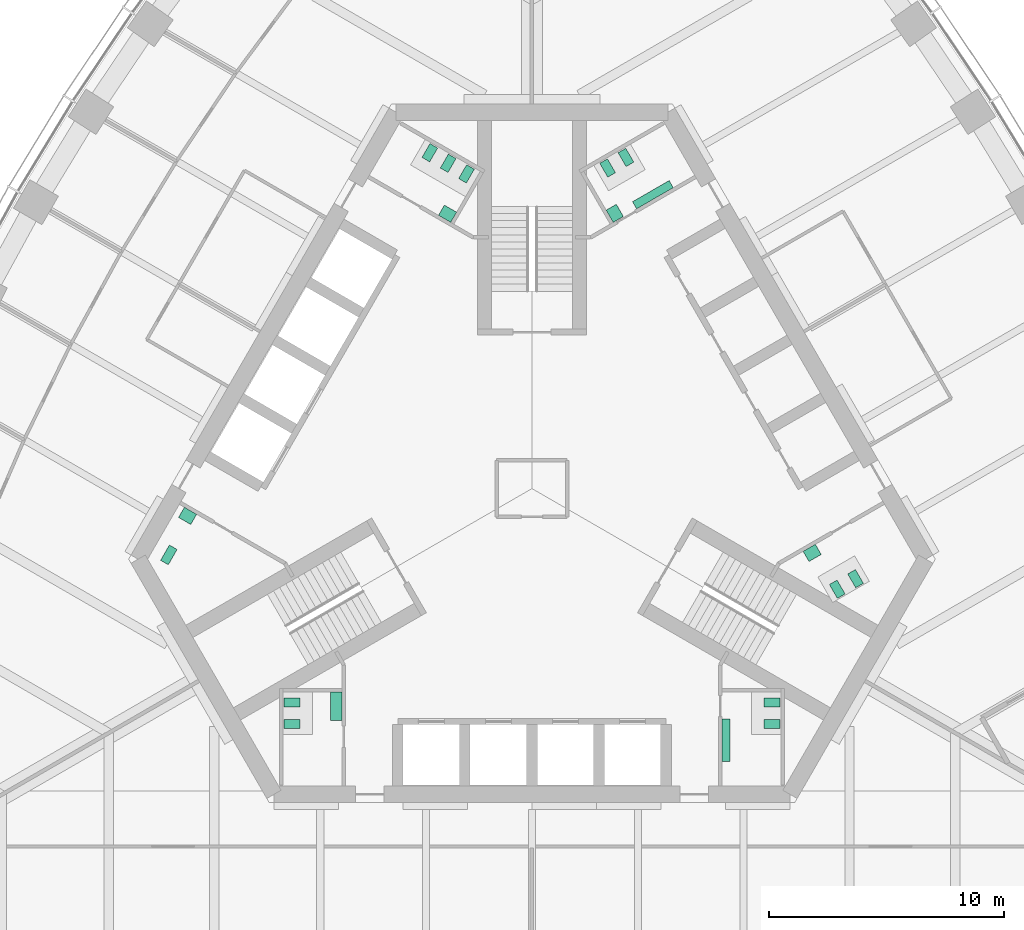
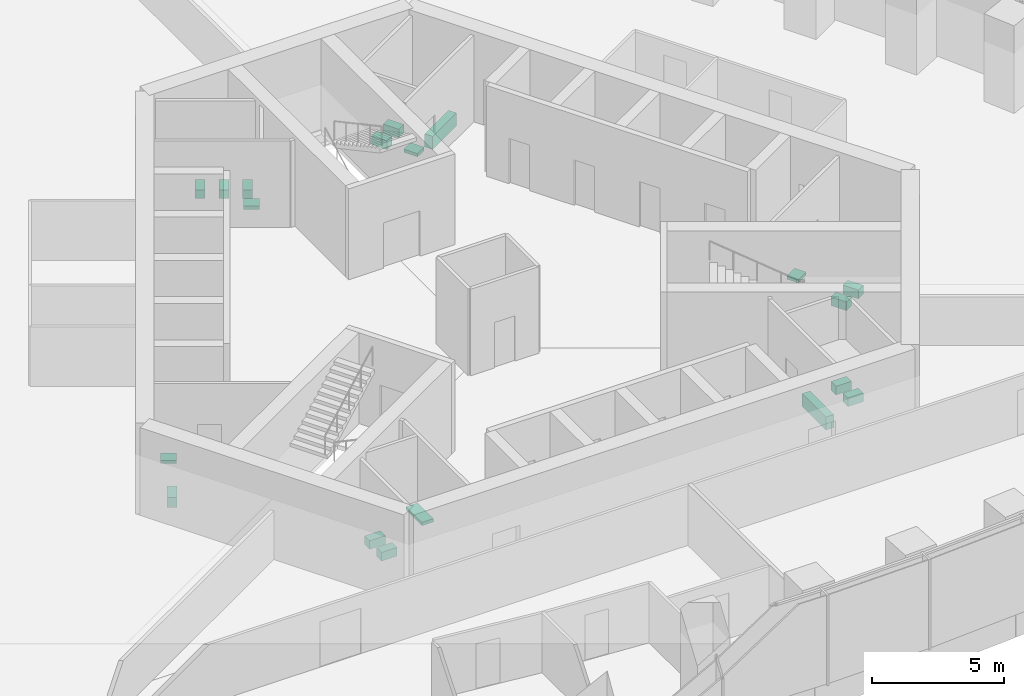
# One storey, part 18 of 19: 19 sanitary terminals.
"""IFC4 building model written with IfcOpenShell, lengths in metres."""

from ifc_helpers import new_model, si_unit, direction, frame, origin, place, context, subcontext, project, spatial, polyline, outline, extrude, material, type_object, element, save


model = new_model("IFC4")

# Units and contexts
model_context = context("Model", 3, precision=1e-05, world=origin(), true_north=direction((0.0, 1.0)))
body_context = subcontext(model_context, "Body", "Model", "MODEL_VIEW")
ifc_project = project(units=[si_unit("LENGTHUNIT", "METRE"), si_unit("AREAUNIT", "SQUARE_METRE"), si_unit("VOLUMEUNIT", "CUBIC_METRE"), si_unit("PLANEANGLEUNIT", "RADIAN"), si_unit("MASSUNIT", "GRAM", prefix="KILO")], contexts=[model_context])

# Site, building, storey
site_placement = place(None, origin())
site = spatial("IfcSite", under=ifc_project, at=site_placement, CompositionType="ELEMENT")
building_placement = place(site_placement, origin())
building = spatial("IfcBuilding", under=site, at=building_placement, Name="Trefoil Bronze Tower", CompositionType="ELEMENT")
storey_placement = place(building_placement, frame((0.0, 0.0, 244.300048828125)))
storey = spatial("IfcBuildingStorey", under=building, at=storey_placement, Name="L56", CompositionType="ELEMENT", Elevation=244.300048828125)

# Sanitary terminals
ifc_material_1 = material(Name="Vitreous china", Category="ceramic")
sanitary_terminal_type_1 = type_object("IfcSanitaryTerminalType", Name="Accessible WC pan", PredefinedType="TOILETPAN", material=ifc_material_1)
sanitary_terminal_1_placement = place(storey_placement, origin())
element("IfcSanitaryTerminal", 1, at=sanitary_terminal_1_placement, inside=storey, type_object=sanitary_terminal_type_1, Name="WC pan 1 Accessible WC L56", PredefinedType="TOILETPAN", context=body_context, shape_type="SweptSolid", body=[
    extrude(outline(polyline([(-15.085693359375, -2.589111328125), (-15.460693359375, -3.238525390625), (-15.789794921875, -3.048583984375), (-15.414794921875, -2.399169921875), (-15.085693359375, -2.589111328125)])), origin(), (0.0, 0.0, 1.0), 0.449951171875),
])
ifc_material_2 = material(Name="Vitreous china", Category="ceramic")
sanitary_terminal_type_2 = type_object("IfcSanitaryTerminalType", Name="Accessible basin", PredefinedType="WASHHANDBASIN", material=ifc_material_2)
sanitary_terminal_2_placement = place(storey_placement, frame((0.0, 0.0, 0.64990234375)))
element("IfcSanitaryTerminal", 2, at=sanitary_terminal_2_placement, inside=storey, type_object=sanitary_terminal_type_2, Name="Wash basin Accessible WC L56", PredefinedType="WASHHANDBASIN", context=body_context, shape_type="SweptSolid", body=[
    extrude(outline(polyline([(-14.256591796875, -1.09326171875), (-14.506591796875, -1.526123046875), (-15.026123046875, -1.22607421875), (-14.776123046875, -0.793212890625), (-14.256591796875, -1.09326171875)])), origin(), (0.0, 0.0, 1.0), 0.150146484375),
])
ifc_material_3 = material(Name="Vitreous china", Category="ceramic")
sanitary_terminal_type_3 = type_object("IfcSanitaryTerminalType", Name="Urinal range 3 urinals", PredefinedType="URINAL", material=ifc_material_3)
sanitary_terminal_3_placement = place(storey_placement, frame((0.0, 0.0, 0.39990234375)))
element("IfcSanitaryTerminal", 3, at=sanitary_terminal_3_placement, inside=storey, type_object=sanitary_terminal_type_3, Name="Urinal range WC (men) L56", PredefinedType="URINAL", context=body_context, shape_type="SweptSolid", body=[
    extrude(outline(polyline([(8.074951171875, -9.800048828125), (8.425048828125, -9.800048828125), (8.425048828125, -11.60009765625), (8.074951171875, -11.60009765625), (8.074951171875, -9.800048828125)])), origin(), (0.0, 0.0, 1.0), 0.60009765625),
])
sanitary_terminal_4_placement = place(storey_placement, frame((0.0, 0.0, 0.39990234375)))
element("IfcSanitaryTerminal", 4, at=sanitary_terminal_4_placement, inside=storey, type_object=sanitary_terminal_type_3, Name="Urinal range WC (men) L56", PredefinedType="URINAL", context=body_context, shape_type="SweptSolid", body=[
    extrude(outline(polyline([(4.449462890625, 11.89306640625), (4.274658203125, 12.1962890625), (5.83349609375, 13.09619140625), (6.00830078125, 12.793212890625), (4.449462890625, 11.89306640625)])), origin(), (0.0, 0.0, 1.0), 0.60009765625),
])
ifc_material_4 = material(Name="Solid surface vanity", Category="plastic")
sanitary_terminal_type_4 = type_object("IfcSanitaryTerminalType", Name="Vanity unit 1 basins", PredefinedType="WASHHANDBASIN", material=ifc_material_4)
sanitary_terminal_5_placement = place(storey_placement, frame((0.0, 0.0, 0.75)))
element("IfcSanitaryTerminal", 5, at=sanitary_terminal_5_placement, inside=storey, type_object=sanitary_terminal_type_4, Name="Vanity unit WC (women) L56", PredefinedType="WASHHANDBASIN", context=body_context, shape_type="SweptSolid", body=[
    extrude(outline(polyline([(11.528564453125, -2.668212890625), (11.778564453125, -3.10107421875), (12.29833984375, -2.80126953125), (12.04833984375, -2.3681640625), (11.528564453125, -2.668212890625)])), origin(), (0.0, 0.0, 1.0), 0.14990234375),
])
sanitary_terminal_6_placement = place(storey_placement, frame((0.0, 0.0, 0.75)))
element("IfcSanitaryTerminal", 6, at=sanitary_terminal_6_placement, inside=storey, type_object=sanitary_terminal_type_4, Name="Vanity unit WC (men) L56", PredefinedType="WASHHANDBASIN", context=body_context, shape_type="SweptSolid", body=[
    extrude(outline(polyline([(3.45361328125, 11.318115234375), (3.153564453125, 11.837890625), (3.586669921875, 12.087890625), (3.88671875, 11.568115234375), (3.45361328125, 11.318115234375)])), origin(), (0.0, 0.0, 1.0), 0.14990234375),
])
sanitary_terminal_7_placement = place(storey_placement, frame((0.0, 0.0, 0.75)))
element("IfcSanitaryTerminal", 7, at=sanitary_terminal_7_placement, inside=storey, type_object=sanitary_terminal_type_4, Name="Vanity unit WC (women) L56", PredefinedType="WASHHANDBASIN", context=body_context, shape_type="SweptSolid", body=[
    extrude(outline(polyline([(-3.45361328125, 11.318115234375), (-3.20361328125, 11.751220703125), (-3.72314453125, 12.05126953125), (-3.97314453125, 11.6181640625), (-3.45361328125, 11.318115234375)])), origin(), (0.0, 0.0, 1.0), 0.14990234375),
])
ifc_material_5 = material(Name="Solid surface vanity", Category="plastic")
sanitary_terminal_type_5 = type_object("IfcSanitaryTerminalType", Name="Vanity unit 2 basins", PredefinedType="WASHHANDBASIN", material=ifc_material_5)
sanitary_terminal_8_placement = place(storey_placement, frame((0.0, 0.0, 0.75)))
element("IfcSanitaryTerminal", 8, at=sanitary_terminal_8_placement, inside=storey, type_object=sanitary_terminal_type_5, Name="Vanity unit WC (women) L56", PredefinedType="WASHHANDBASIN", context=body_context, shape_type="SweptSolid", body=[
    extrude(outline(polyline([(-8.074951171875, -8.64990234375), (-8.574951171875, -8.64990234375), (-8.574951171875, -9.85009765625), (-8.074951171875, -9.85009765625), (-8.074951171875, -8.64990234375)])), origin(), (0.0, 0.0, 1.0), 0.14990234375),
])
ifc_material_6 = material(Name="Vitreous china", Category="ceramic")
sanitary_terminal_type_6 = type_object("IfcSanitaryTerminalType", Name="WC pan", PredefinedType="TOILETPAN", material=ifc_material_6)
sanitary_terminal_9_placement = place(storey_placement, origin())
element("IfcSanitaryTerminal", 9, at=sanitary_terminal_9_placement, inside=storey, type_object=sanitary_terminal_type_6, Name="WC pan 1 WC (men) L56", PredefinedType="TOILETPAN", context=body_context, shape_type="SweptSolid", body=[
    extrude(outline(polyline([(9.85498046875, -8.909912109375), (10.534912109375, -8.909912109375), (10.534912109375, -9.2900390625), (9.85498046875, -9.2900390625), (9.85498046875, -8.909912109375)])), origin(), (0.0, 0.0, 1.0), 0.39990234375),
])
sanitary_terminal_10_placement = place(storey_placement, origin())
element("IfcSanitaryTerminal", 10, at=sanitary_terminal_10_placement, inside=storey, type_object=sanitary_terminal_type_6, Name="WC pan 2 WC (men) L56", PredefinedType="TOILETPAN", context=body_context, shape_type="SweptSolid", body=[
    extrude(outline(polyline([(9.85498046875, -9.81005859375), (10.534912109375, -9.81005859375), (10.534912109375, -10.18994140625), (9.85498046875, -10.18994140625), (9.85498046875, -9.81005859375)])), origin(), (0.0, 0.0, 1.0), 0.39990234375),
])
sanitary_terminal_11_placement = place(storey_placement, origin())
element("IfcSanitaryTerminal", 11, at=sanitary_terminal_11_placement, inside=storey, type_object=sanitary_terminal_type_6, Name="WC pan 1 WC (women) L56", PredefinedType="TOILETPAN", context=body_context, shape_type="SweptSolid", body=[
    extrude(outline(polyline([(12.643798828125, -4.07958984375), (12.98388671875, -4.66845703125), (13.31298828125, -4.478515625), (12.972900390625, -3.8896484375), (12.643798828125, -4.07958984375)])), origin(), (0.0, 0.0, 1.0), 0.39990234375),
])
sanitary_terminal_12_placement = place(storey_placement, origin())
element("IfcSanitaryTerminal", 12, at=sanitary_terminal_12_placement, inside=storey, type_object=sanitary_terminal_type_6, Name="WC pan 2 WC (women) L56", PredefinedType="TOILETPAN", context=body_context, shape_type="SweptSolid", body=[
    extrude(outline(polyline([(13.423095703125, -3.629638671875), (13.76318359375, -4.218505859375), (14.09228515625, -4.028564453125), (13.752197265625, -3.439697265625), (13.423095703125, -3.629638671875)])), origin(), (0.0, 0.0, 1.0), 0.39990234375),
])
sanitary_terminal_13_placement = place(storey_placement, origin())
element("IfcSanitaryTerminal", 13, at=sanitary_terminal_13_placement, inside=storey, type_object=sanitary_terminal_type_6, Name="WC pan 1 WC (men) L56", PredefinedType="TOILETPAN", context=body_context, shape_type="SweptSolid", body=[
    extrude(outline(polyline([(3.2216796875, 13.23974609375), (2.8818359375, 13.82861328125), (3.2109375, 14.0185546875), (3.55078125, 13.4296875), (3.2216796875, 13.23974609375)])), origin(), (0.0, 0.0, 1.0), 0.39990234375),
])
sanitary_terminal_14_placement = place(storey_placement, origin())
element("IfcSanitaryTerminal", 14, at=sanitary_terminal_14_placement, inside=storey, type_object=sanitary_terminal_type_6, Name="WC pan 2 WC (men) L56", PredefinedType="TOILETPAN", context=body_context, shape_type="SweptSolid", body=[
    extrude(outline(polyline([(4.001220703125, 13.689697265625), (3.6611328125, 14.278564453125), (3.990234375, 14.468505859375), (4.330322265625, 13.879638671875), (4.001220703125, 13.689697265625)])), origin(), (0.0, 0.0, 1.0), 0.39990234375),
])
sanitary_terminal_15_placement = place(storey_placement, origin())
element("IfcSanitaryTerminal", 15, at=sanitary_terminal_15_placement, inside=storey, type_object=sanitary_terminal_type_6, Name="WC pan 1 WC (women) L56", PredefinedType="TOILETPAN", context=body_context, shape_type="SweptSolid", body=[
    extrude(outline(polyline([(-2.788818359375, 12.98974609375), (-2.44873046875, 13.57861328125), (-2.77783203125, 13.7685546875), (-3.117919921875, 13.1796875), (-2.788818359375, 12.98974609375)])), origin(), (0.0, 0.0, 1.0), 0.39990234375),
])
sanitary_terminal_16_placement = place(storey_placement, origin())
element("IfcSanitaryTerminal", 16, at=sanitary_terminal_16_placement, inside=storey, type_object=sanitary_terminal_type_6, Name="WC pan 2 WC (women) L56", PredefinedType="TOILETPAN", context=body_context, shape_type="SweptSolid", body=[
    extrude(outline(polyline([(-3.568115234375, 13.439697265625), (-3.228271484375, 14.028564453125), (-3.557373046875, 14.218505859375), (-3.897216796875, 13.629638671875), (-3.568115234375, 13.439697265625)])), origin(), (0.0, 0.0, 1.0), 0.39990234375),
])
sanitary_terminal_17_placement = place(storey_placement, origin())
element("IfcSanitaryTerminal", 17, at=sanitary_terminal_17_placement, inside=storey, type_object=sanitary_terminal_type_6, Name="WC pan 3 WC (women) L56", PredefinedType="TOILETPAN", context=body_context, shape_type="SweptSolid", body=[
    extrude(outline(polyline([(-4.34765625, 13.8896484375), (-4.007568359375, 14.478515625), (-4.336669921875, 14.66845703125), (-4.6767578125, 14.07958984375), (-4.34765625, 13.8896484375)])), origin(), (0.0, 0.0, 1.0), 0.39990234375),
])
sanitary_terminal_18_placement = place(storey_placement, origin())
element("IfcSanitaryTerminal", 18, at=sanitary_terminal_18_placement, inside=storey, type_object=sanitary_terminal_type_6, Name="WC pan 1 WC (women) L56", PredefinedType="TOILETPAN", context=body_context, shape_type="SweptSolid", body=[
    extrude(outline(polyline([(-9.85498046875, -8.909912109375), (-10.534912109375, -8.909912109375), (-10.534912109375, -9.2900390625), (-9.85498046875, -9.2900390625), (-9.85498046875, -8.909912109375)])), origin(), (0.0, 0.0, 1.0), 0.39990234375),
])
sanitary_terminal_19_placement = place(storey_placement, origin())
element("IfcSanitaryTerminal", 19, at=sanitary_terminal_19_placement, inside=storey, type_object=sanitary_terminal_type_6, Name="WC pan 2 WC (women) L56", PredefinedType="TOILETPAN", context=body_context, shape_type="SweptSolid", body=[
    extrude(outline(polyline([(-9.85498046875, -9.81005859375), (-10.534912109375, -9.81005859375), (-10.534912109375, -10.18994140625), (-9.85498046875, -10.18994140625), (-9.85498046875, -9.81005859375)])), origin(), (0.0, 0.0, 1.0), 0.39990234375),
])

save(model, "model.ifc")
